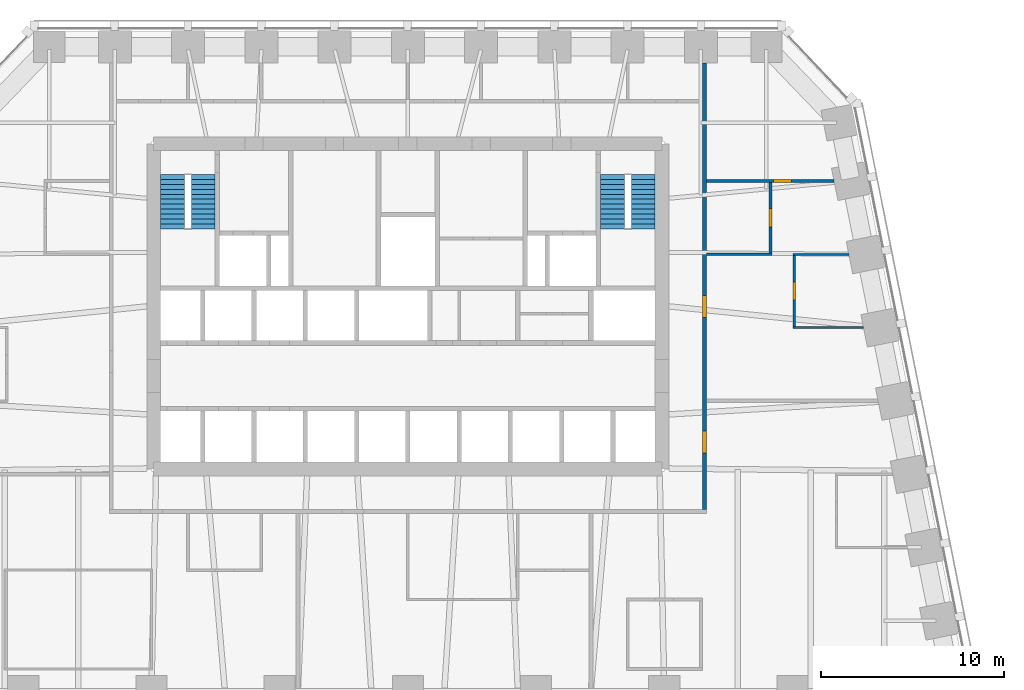
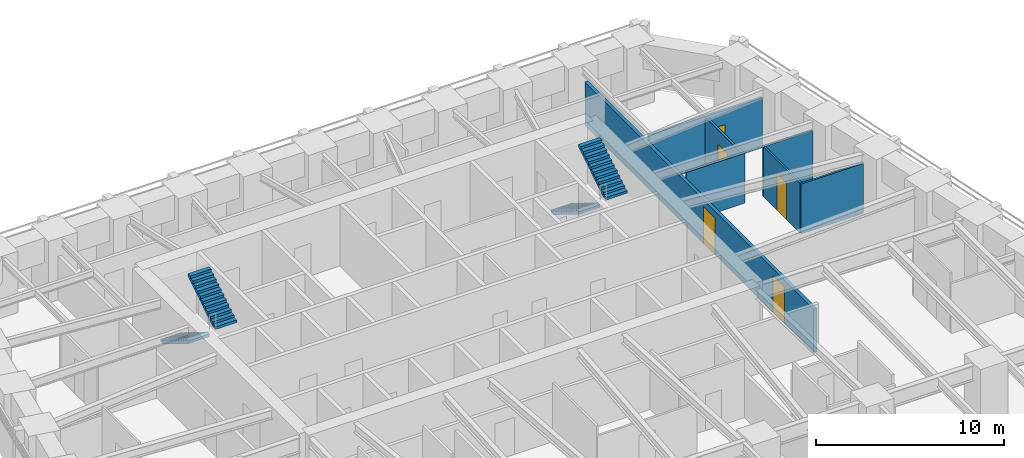
# One storey, part 8 of 10: 7 walls, 5 doors, 4 stair flights, 5 openings, 2 elements without a shape of their own.
"""IFC4 building model written with IfcOpenShell, lengths in metres."""

from ifc_helpers import new_model, si_unit, direction, frame, frame_2d, origin, place, context, subcontext, project, spatial, polyline, rectangle, outline, extrude, material, layer, layer_set, type_object, element, fill, aggregate, save


model = new_model("IFC4")

# Units and contexts
model_context = context("Model", 3, precision=1e-05, world=origin(), true_north=direction((0.0, 1.0)))
body_context = subcontext(model_context, "Body", "Model", "MODEL_VIEW")
ifc_project = project(units=[si_unit("LENGTHUNIT", "METRE"), si_unit("AREAUNIT", "SQUARE_METRE"), si_unit("VOLUMEUNIT", "CUBIC_METRE"), si_unit("PLANEANGLEUNIT", "RADIAN"), si_unit("MASSUNIT", "GRAM", prefix="KILO")], contexts=[model_context])

# Site, building, storey
site_placement = place(None, origin())
site = spatial("IfcSite", under=ifc_project, at=site_placement, CompositionType="ELEMENT")
building_placement = place(site_placement, origin())
building = spatial("IfcBuilding", under=site, at=building_placement, Name="Isbrekke Arena Tower", CompositionType="ELEMENT")
storey_placement = place(building_placement, frame((0.0, 0.0, 151.0)))
storey = spatial("IfcBuildingStorey", under=building, at=storey_placement, Name="L34", CompositionType="ELEMENT", Elevation=151.0)

# Wall
ifc_material_1 = material(Name="Gypsum board partition on steel studs", Category="steel")
ifc_layer_1 = layer(ifc_material_1, 0.14990234375)
ifc_layer_set_1 = layer_set([ifc_layer_1], Name="IW1 PARTITION 150")
wall_type_1 = type_object("IfcWallType", Name="IW1 PARTITION 150", PredefinedType="PARTITIONING", material=ifc_layer_set_1)
wall_1_placement = place(storey_placement, frame((16.300048828125, 17.840087890625, 0.0), z_axis=(0.0, 0.0, 1.0), x_axis=(1.0, 0.0, 0.0)))
element("IfcWall", 1, at=wall_1_placement, inside=storey, type_object=wall_type_1, Name="IW1 partition 150 L34", PredefinedType="PARTITIONING", context=body_context, shape_type="SweptSolid", body=[
    extrude(rectangle(XDim=3.574951171875, YDim=0.14990234375, at=frame_2d((1.78759765625, 0.0))), origin(), (0.0, 0.0, 1.0), 3.25),
])

# Wall, opening, door
wall_2_placement = place(storey_placement, frame((16.300048828125, 21.840087890625, 0.0), z_axis=(0.0, 0.0, 1.0), x_axis=(1.0, 0.0, 0.0)))
wall_2 = element("IfcWall", 2, at=wall_2_placement, inside=storey, type_object=wall_type_1, Name="IW1 partition 150 L34", PredefinedType="PARTITIONING", context=body_context, shape_type="SweptSolid", body=[
    extrude(rectangle(XDim=6.97265625, YDim=0.14990234375, at=frame_2d((3.486328125, 0.0))), origin(), (0.0, 0.0, 1.0), 3.25),
])
opening_1_placement = place(wall_2_placement, frame((3.6591796875, 0.0, 0.0)))
opening_1 = element("IfcOpeningElement", 3, at=opening_1_placement, cuts=wall_2, Name="Opening D10", PredefinedType="OPENING", context=body_context, shape_type="SweptSolid", body=[
    extrude(rectangle(XDim=1.0, YDim=2.300048828125, at=frame_2d((0.5, 1.14990234375))), frame((0.0, 0.08984375, 0.0), z_axis=(0.0, -1.0, 0.0), x_axis=(1.0, 0.0, 0.0)), (0.0, 0.0, 1.0), 0.1796875),
])
ifc_material_2 = material(Name="Timber door", Category="wood")
door_type_1 = type_object("IfcDoorType", Name="D10 OFFICE DOOR 1000 x 2300", OperationType="SINGLE_SWING_LEFT", PredefinedType="DOOR", material=ifc_material_2)
door_1_placement = place(opening_1_placement, origin())
door_1 = element("IfcDoor", 4, at=door_1_placement, inside=storey, type_object=door_type_1, Name="D10 office door L34", OperationType="SINGLE_SWING_LEFT", OverallHeight=2.300048828125, OverallWidth=1.0, PredefinedType="DOOR", context=body_context, shape_type="SweptSolid", body=[
    extrude(rectangle(XDim=1.0, YDim=2.300048828125, at=frame_2d((0.5, 1.14990234375))), frame((0.0, 0.07470703125, 0.0), z_axis=(0.0, -1.0, 0.0), x_axis=(1.0, 0.0, 0.0)), (0.0, 0.0, 1.0), 0.1494140625),
])
fill(opening_1, door_1)

wall_3_placement = place(storey_placement, frame((19.800048828125, 17.9150390625, 0.0), z_axis=(0.0, 0.0, 1.0), x_axis=(0.0, 1.0, 0.0)))
wall_3 = element("IfcWall", 5, at=wall_3_placement, inside=storey, type_object=wall_type_1, Name="IW1 partition 150 L34", PredefinedType="PARTITIONING", context=body_context, shape_type="SweptSolid", body=[
    extrude(rectangle(XDim=3.849853515625, YDim=0.14990234375, at=frame_2d((1.9248046875, 0.0))), origin(), (0.0, 0.0, 1.0), 3.25),
])
opening_2_placement = place(wall_3_placement, frame((1.425048828125, 0.0, 0.0)))
opening_2 = element("IfcOpeningElement", 6, at=opening_2_placement, cuts=wall_3, Name="Opening D10", PredefinedType="OPENING", context=body_context, shape_type="SweptSolid", body=[
    extrude(rectangle(XDim=1.0, YDim=2.300048828125, at=frame_2d((0.5, 1.14990234375))), frame((0.0, 0.08984375, 0.0), z_axis=(0.0, -1.0, 0.0), x_axis=(1.0, 0.0, 0.0)), (0.0, 0.0, 1.0), 0.1796875),
])
door_2_placement = place(opening_2_placement, origin())
door_2 = element("IfcDoor", 7, at=door_2_placement, inside=storey, type_object=door_type_1, Name="D10 tea point door L34", OperationType="SINGLE_SWING_LEFT", OverallHeight=2.300048828125, OverallWidth=1.0, PredefinedType="DOOR", context=body_context, shape_type="SweptSolid", body=[
    extrude(rectangle(XDim=1.0, YDim=2.300048828125, at=frame_2d((0.5, 1.14990234375))), frame((0.0, 0.07470703125, 0.0), z_axis=(0.0, -1.0, 0.0), x_axis=(1.0, 0.0, 0.0)), (0.0, 0.0, 1.0), 0.1494140625),
])
fill(opening_2, door_2)

# Walls
ifc_material_3 = material(Name="Frameless glazed partition, laminated acoustic glass", Category="glass")
ifc_layer_2 = layer(ifc_material_3, 0.1201171875)
ifc_layer_set_2 = layer_set([ifc_layer_2], Name="IW2 GLAZED PARTITION 120")
wall_type_2 = type_object("IfcWallType", Name="IW2 GLAZED PARTITION 120", PredefinedType="PARTITIONING", material=ifc_layer_set_2)
wall_4_placement = place(storey_placement, frame((21.0400390625, 13.840087890625, 0.0), z_axis=(0.0, 0.0, 1.0), x_axis=(1.0, 0.0, 0.0)))
element("IfcWall", 8, at=wall_4_placement, inside=storey, type_object=wall_type_2, Name="IW2 glazed partition 120 L34", PredefinedType="PARTITIONING", context=body_context, shape_type="SweptSolid", body=[
    extrude(rectangle(XDim=3.832763671875, YDim=0.1201171875, at=frame_2d((1.91650390625, 0.0))), origin(), (0.0, 0.0, 1.0), 3.25),
])
wall_5_placement = place(storey_placement, frame((21.0400390625, 17.840087890625, 0.0), z_axis=(0.0, 0.0, 1.0), x_axis=(1.0, 0.0, 0.0)))
element("IfcWall", 9, at=wall_5_placement, inside=storey, type_object=wall_type_2, Name="IW2 glazed partition 120 L34", PredefinedType="PARTITIONING", context=body_context, shape_type="SweptSolid", body=[
    extrude(rectangle(XDim=3.03271484375, YDim=0.1201171875, at=frame_2d((1.516357421875, 0.0))), origin(), (0.0, 0.0, 1.0), 3.25),
])

# Wall, opening, door
wall_6_placement = place(storey_placement, frame((21.10009765625, 13.89990234375, 0.0), z_axis=(0.0, 0.0, 1.0), x_axis=(0.0, 1.0, 0.0)))
wall_6 = element("IfcWall", 10, at=wall_6_placement, inside=storey, type_object=wall_type_2, Name="IW2 glazed partition 120 L34", PredefinedType="PARTITIONING", context=body_context, shape_type="SweptSolid", body=[
    extrude(rectangle(XDim=3.880126953125, YDim=0.1201171875, at=frame_2d((1.93994140625, 0.0))), origin(), (0.0, 0.0, 1.0), 3.25),
])
opening_3_placement = place(wall_6_placement, frame((1.43994140625, 0.0, 0.0)))
opening_3 = element("IfcOpeningElement", 11, at=opening_3_placement, cuts=wall_6, Name="Opening D11", PredefinedType="OPENING", context=body_context, shape_type="SweptSolid", body=[
    extrude(rectangle(XDim=1.0, YDim=2.39990234375, at=frame_2d((0.5, 1.199951171875))), frame((0.0, 0.074951171875, 0.0), z_axis=(0.0, -1.0, 0.0), x_axis=(1.0, 0.0, 0.0)), (0.0, 0.0, 1.0), 0.14990234375),
])
ifc_material_4 = material(Name="Frameless glazed door", Category="glass")
door_type_2 = type_object("IfcDoorType", Name="D11 GLAZED MEETING ROOM DOOR 1000 x 2400", OperationType="SINGLE_SWING_RIGHT", PredefinedType="DOOR", material=ifc_material_4)
door_3_placement = place(opening_3_placement, origin())
door_3 = element("IfcDoor", 12, at=door_3_placement, inside=storey, type_object=door_type_2, Name="D11 meeting room door L34", OperationType="SINGLE_SWING_RIGHT", OverallHeight=2.39990234375, OverallWidth=1.0, PredefinedType="DOOR", context=body_context, shape_type="SweptSolid", body=[
    extrude(rectangle(XDim=1.0, YDim=2.39990234375, at=frame_2d((0.5, 1.199951171875))), frame((0.0, 0.059814453125, 0.0), z_axis=(0.0, -1.0, 0.0), x_axis=(1.0, 0.0, 0.0)), (0.0, 0.0, 1.0), 0.11962890625),
])
fill(opening_3, door_3)

# Wall, openings, doors
ifc_material_5 = material(Name="Gypsum board fire-cell wall on steel studs, two layers each side", Category="steel")
ifc_layer_3 = layer(ifc_material_5, 0.199951171875)
ifc_layer_set_3 = layer_set([ifc_layer_3], Name="IW3 FIRE-CELL WALL 200")
wall_type_3 = type_object("IfcWallType", Name="IW3 FIRE-CELL WALL 200", PredefinedType="PARTITIONING", material=ifc_layer_set_3)
wall_7_placement = place(storey_placement, frame((16.199951171875, 3.89990234375, 0.0), z_axis=(0.0, 0.0, 1.0), x_axis=(0.0, 1.0, 0.0)))
wall_7 = element("IfcWall", 13, at=wall_7_placement, inside=storey, type_object=wall_type_3, Name="IW3 fire-cell wall 200 L34", PredefinedType="PARTITIONING", context=body_context, shape_type="SweptSolid", body=[
    extrude(rectangle(XDim=24.375, YDim=0.199951171875, at=frame_2d((12.1875, 0.0))), origin(), (0.0, 0.0, 1.0), 2.842041015625),
])
opening_4_placement = place(wall_7_placement, frame((3.10009765625, 0.0, 0.0)))
opening_4 = element("IfcOpeningElement", 14, at=opening_4_placement, cuts=wall_7, Name="Opening D12", PredefinedType="OPENING", context=body_context, shape_type="SweptSolid", body=[
    extrude(rectangle(XDim=1.199951171875, YDim=2.39990234375, at=frame_2d((0.60009765625, 1.199951171875))), frame((0.0, 0.11474609375, 0.0), z_axis=(0.0, -1.0, 0.0), x_axis=(1.0, 0.0, 0.0)), (0.0, 0.0, 1.0), 0.229736328125),
])
opening_5_placement = place(wall_7_placement, frame((10.5, 0.0, 0.0)))
opening_5 = element("IfcOpeningElement", 15, at=opening_5_placement, cuts=wall_7, Name="Opening D12", PredefinedType="OPENING", context=body_context, shape_type="SweptSolid", body=[
    extrude(rectangle(XDim=1.199951171875, YDim=2.39990234375, at=frame_2d((0.60009765625, 1.199951171875))), frame((0.0, 0.11474609375, 0.0), z_axis=(0.0, -1.0, 0.0), x_axis=(1.0, 0.0, 0.0)), (0.0, 0.0, 1.0), 0.229736328125),
])
ifc_material_6 = material(Name="Timber fire door with vision panel", Category="wood")
door_type_3 = type_object("IfcDoorType", Name="D12 SUITE ENTRANCE DOOR 1200 x 2400", OperationType="SINGLE_SWING_LEFT", PredefinedType="DOOR", material=ifc_material_6)
door_4_placement = place(opening_4_placement, origin())
door_4 = element("IfcDoor", 16, at=door_4_placement, inside=storey, type_object=door_type_3, Name="D12 suite entrance SE door L34", OperationType="SINGLE_SWING_LEFT", OverallHeight=2.39990234375, OverallWidth=1.199951171875, PredefinedType="DOOR", context=body_context, shape_type="SweptSolid", body=[
    extrude(rectangle(XDim=1.199951171875, YDim=2.39990234375, at=frame_2d((0.60009765625, 1.199951171875))), frame((0.0, 0.099609375, 0.0), z_axis=(0.0, -1.0, 0.0), x_axis=(1.0, 0.0, 0.0)), (0.0, 0.0, 1.0), 0.199462890625),
])
fill(opening_4, door_4)
door_5_placement = place(opening_5_placement, origin())
door_5 = element("IfcDoor", 17, at=door_5_placement, inside=storey, type_object=door_type_3, Name="D12 suite entrance NE door L34", OperationType="SINGLE_SWING_LEFT", OverallHeight=2.39990234375, OverallWidth=1.199951171875, PredefinedType="DOOR", context=body_context, shape_type="SweptSolid", body=[
    extrude(rectangle(XDim=1.199951171875, YDim=2.39990234375, at=frame_2d((0.60009765625, 1.199951171875))), frame((0.0, 0.099609375, 0.0), z_axis=(0.0, -1.0, 0.0), x_axis=(1.0, 0.0, 0.0)), (0.0, 0.0, 1.0), 0.199462890625),
])
fill(opening_5, door_5)

# Stair, stair flights
ifc_material_7 = material(Name="Concrete B45 (C45/55) precast", Category="concrete")
stair_type = type_object("IfcStairType", Name="ST40 STAIR 1300 WIDE, 24 RISERS 167", PredefinedType="HALF_TURN_STAIR", material=ifc_material_7)
stair_1_placement = place(storey_placement, origin())
stair_1 = element("IfcStair", 18, at=stair_1_placement, inside=storey, type_object=stair_type, Name="ST1 stair L34", PredefinedType="HALF_TURN_STAIR")
ifc_material_8 = material(Name="Concrete B45 (C45/55) precast", Category="concrete")
stair_flight_type = type_object("IfcStairFlightType", Name="SF 1300 FLIGHT", PredefinedType="STRAIGHT", material=ifc_material_8)
stair_flight_1_placement = place(storey_placement, frame((-12.85009765625, 22.199951171875, 0.0), z_axis=(0.0, 0.0, 1.0), x_axis=(0.0, -1.0, 0.0)))
stair_flight_1 = element("IfcStairFlight", 19, at=stair_flight_1_placement, type_object=stair_flight_type, Name="ST1 flight 1", NumberOfRisers=12, NumberOfTreads=11, PredefinedType="STRAIGHT", RiserHeight=0.166666667, TreadLength=0.27, context=body_context, shape_type="SweptSolid", body=[
    extrude(outline(polyline([(0.0, 0.0), (0.0, 0.166748046875), (0.27001953125, 0.166748046875), (0.27001953125, 0.333251953125), (0.5400390625, 0.333251953125), (0.5400390625, 0.5), (0.81005859375, 0.5), (0.81005859375, 0.666748046875), (1.080078125, 0.666748046875), (1.080078125, 0.833251953125), (1.35009765625, 0.833251953125), (1.35009765625, 1.0), (1.6201171875, 1.0), (1.6201171875, 1.166748046875), (1.889892578125, 1.166748046875), (1.889892578125, 1.333251953125), (2.159912109375, 1.333251953125), (2.159912109375, 1.5), (2.429931640625, 1.5), (2.429931640625, 1.666748046875), (2.699951171875, 1.666748046875), (2.699951171875, 1.833251953125), (2.969970703125, 1.833251953125), (2.969970703125, 2.0), (2.969970703125, 1.6572265625), (0.285400390625, 0.0), (0.0, 0.0)])), frame((0.0, 0.64990234375, 0.0), z_axis=(0.0, -1.0, 0.0), x_axis=(1.0, 0.0, 0.0)), (0.0, 0.0, 1.0), 1.300048828125),
])
stair_flight_2_placement = place(storey_placement, frame((-11.175048828125, 19.22998046875, 2.0), z_axis=(0.0, 0.0, 1.0), x_axis=(0.0, 1.0, 0.0)))
stair_flight_2 = element("IfcStairFlight", 20, at=stair_flight_2_placement, type_object=stair_flight_type, Name="ST1 flight 2", NumberOfRisers=12, NumberOfTreads=11, PredefinedType="STRAIGHT", RiserHeight=0.166666667, TreadLength=0.27, context=body_context, shape_type="SweptSolid", body=[
    extrude(outline(polyline([(0.0, 0.0), (0.0, 0.166748046875), (0.27001953125, 0.166748046875), (0.27001953125, 0.333251953125), (0.5400390625, 0.333251953125), (0.5400390625, 0.5), (0.81005859375, 0.5), (0.81005859375, 0.666748046875), (1.080078125, 0.666748046875), (1.080078125, 0.833251953125), (1.35009765625, 0.833251953125), (1.35009765625, 1.0), (1.6201171875, 1.0), (1.6201171875, 1.166748046875), (1.889892578125, 1.166748046875), (1.889892578125, 1.333251953125), (2.159912109375, 1.333251953125), (2.159912109375, 1.5), (2.429931640625, 1.5), (2.429931640625, 1.666748046875), (2.699951171875, 1.666748046875), (2.699951171875, 1.833251953125), (2.969970703125, 1.833251953125), (2.969970703125, 2.0), (2.969970703125, 1.6572265625), (0.285400390625, 0.0), (0.0, 0.0)])), frame((0.0, 0.64990234375, 0.0), z_axis=(0.0, -1.0, 0.0), x_axis=(1.0, 0.0, 0.0)), (0.0, 0.0, 1.0), 1.300048828125),
])
aggregate(stair_1, [stair_flight_1, stair_flight_2])

stair_2_placement = place(storey_placement, origin())
stair_2 = element("IfcStair", 21, at=stair_2_placement, inside=storey, type_object=stair_type, Name="ST2 stair L34", PredefinedType="HALF_TURN_STAIR")
stair_flight_3_placement = place(storey_placement, frame((11.175048828125, 22.199951171875, 0.0), z_axis=(0.0, 0.0, 1.0), x_axis=(0.0, -1.0, 0.0)))
stair_flight_3 = element("IfcStairFlight", 22, at=stair_flight_3_placement, type_object=stair_flight_type, Name="ST2 flight 1", NumberOfRisers=12, NumberOfTreads=11, PredefinedType="STRAIGHT", RiserHeight=0.166666667, TreadLength=0.27, context=body_context, shape_type="SweptSolid", body=[
    extrude(outline(polyline([(0.0, 0.0), (0.0, 0.166748046875), (0.27001953125, 0.166748046875), (0.27001953125, 0.333251953125), (0.5400390625, 0.333251953125), (0.5400390625, 0.5), (0.81005859375, 0.5), (0.81005859375, 0.666748046875), (1.080078125, 0.666748046875), (1.080078125, 0.833251953125), (1.35009765625, 0.833251953125), (1.35009765625, 1.0), (1.6201171875, 1.0), (1.6201171875, 1.166748046875), (1.889892578125, 1.166748046875), (1.889892578125, 1.333251953125), (2.159912109375, 1.333251953125), (2.159912109375, 1.5), (2.429931640625, 1.5), (2.429931640625, 1.666748046875), (2.699951171875, 1.666748046875), (2.699951171875, 1.833251953125), (2.969970703125, 1.833251953125), (2.969970703125, 2.0), (2.969970703125, 1.6572265625), (0.285400390625, 0.0), (0.0, 0.0)])), frame((0.0, 0.64990234375, 0.0), z_axis=(0.0, -1.0, 0.0), x_axis=(1.0, 0.0, 0.0)), (0.0, 0.0, 1.0), 1.300048828125),
])
stair_flight_4_placement = place(storey_placement, frame((12.85009765625, 19.22998046875, 2.0), z_axis=(0.0, 0.0, 1.0), x_axis=(0.0, 1.0, 0.0)))
stair_flight_4 = element("IfcStairFlight", 23, at=stair_flight_4_placement, type_object=stair_flight_type, Name="ST2 flight 2", NumberOfRisers=12, NumberOfTreads=11, PredefinedType="STRAIGHT", RiserHeight=0.166666667, TreadLength=0.27, context=body_context, shape_type="SweptSolid", body=[
    extrude(outline(polyline([(0.0, 0.0), (0.0, 0.166748046875), (0.27001953125, 0.166748046875), (0.27001953125, 0.333251953125), (0.5400390625, 0.333251953125), (0.5400390625, 0.5), (0.81005859375, 0.5), (0.81005859375, 0.666748046875), (1.080078125, 0.666748046875), (1.080078125, 0.833251953125), (1.35009765625, 0.833251953125), (1.35009765625, 1.0), (1.6201171875, 1.0), (1.6201171875, 1.166748046875), (1.889892578125, 1.166748046875), (1.889892578125, 1.333251953125), (2.159912109375, 1.333251953125), (2.159912109375, 1.5), (2.429931640625, 1.5), (2.429931640625, 1.666748046875), (2.699951171875, 1.666748046875), (2.699951171875, 1.833251953125), (2.969970703125, 1.833251953125), (2.969970703125, 2.0), (2.969970703125, 1.6572265625), (0.285400390625, 0.0), (0.0, 0.0)])), frame((0.0, 0.64990234375, 0.0), z_axis=(0.0, -1.0, 0.0), x_axis=(1.0, 0.0, 0.0)), (0.0, 0.0, 1.0), 1.300048828125),
])
aggregate(stair_2, [stair_flight_3, stair_flight_4])

save(model, "model.ifc")
